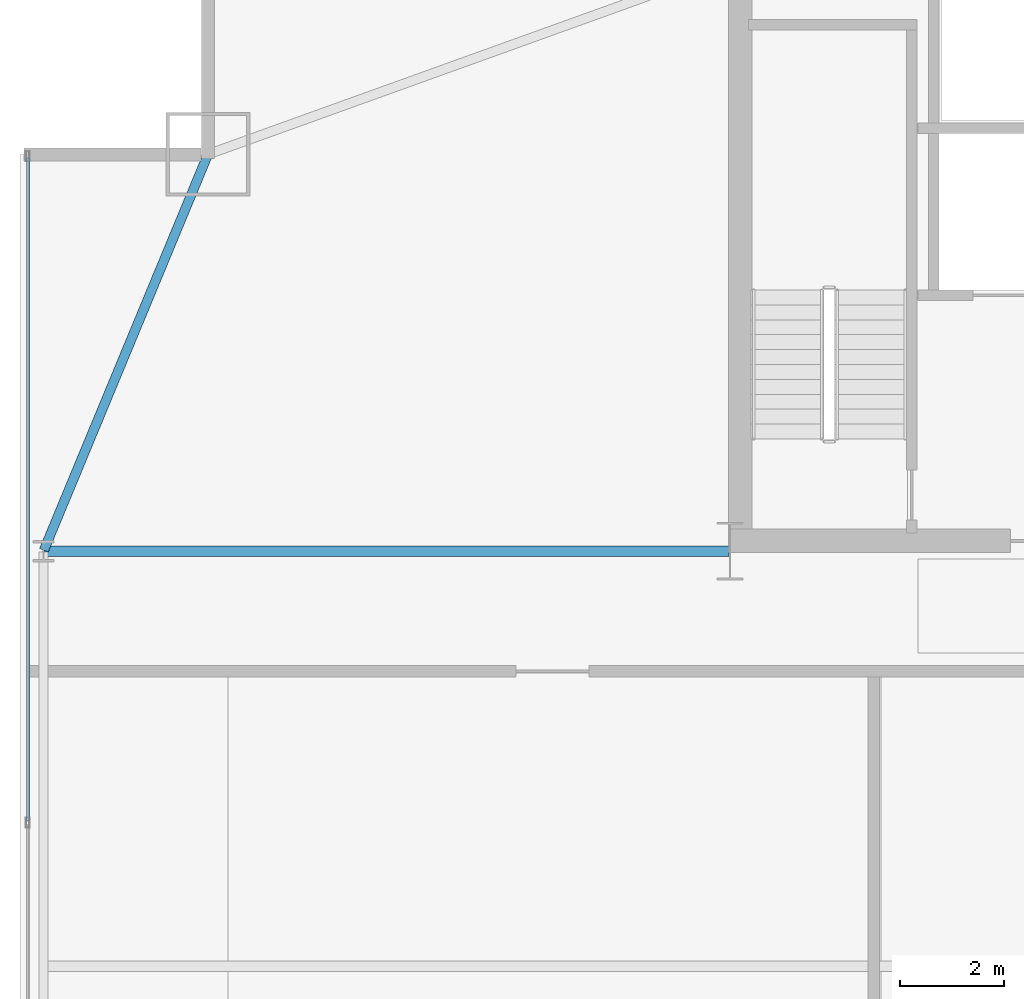
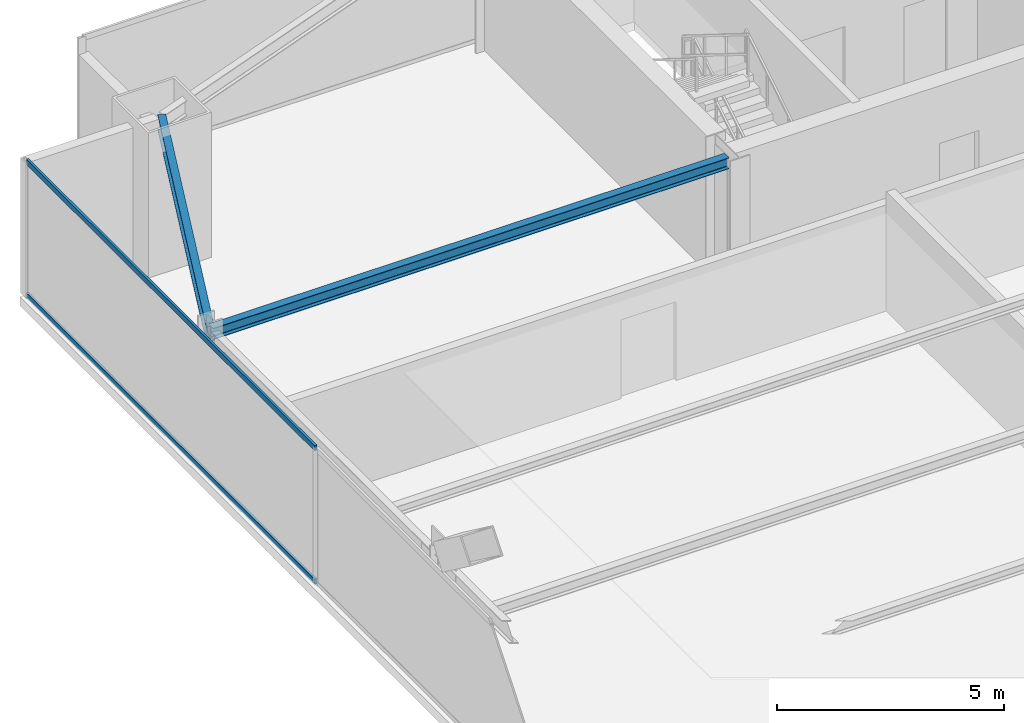
# One storey, part 21 of 35: 2 beams, 2 members, 1 element without a shape of its own.
"""IFC4 building model written with IfcOpenShell, lengths in metres."""

from ifc_helpers import new_model, si_unit, direction, frame, origin, origin_2d, place, context, subcontext, project, spatial, hollow_rectangle, i_section, extrude, source, transform, mapped, material, layer, layer_set, material_profile, profile_set, type_object, type_shapes, element, aggregate, save


model = new_model("IFC4")

# Units and contexts
model_context = context("Model", 3, precision=1e-05, world=origin(), true_north=direction((0.0, 1.0)))
body_context = subcontext(model_context, "Body", "Model", "MODEL_VIEW")
ifc_project = project(units=[si_unit("LENGTHUNIT", "METRE"), si_unit("AREAUNIT", "SQUARE_METRE"), si_unit("VOLUMEUNIT", "CUBIC_METRE"), si_unit("PLANEANGLEUNIT", "RADIAN"), si_unit("MASSUNIT", "GRAM", prefix="KILO")], contexts=[model_context])

# Site, building, storey
site_placement = place(None, origin())
site = spatial("IfcSite", under=ifc_project, at=site_placement, CompositionType="ELEMENT")
building_placement = place(site_placement, origin())
building = spatial("IfcBuilding", under=site, at=building_placement, Name="Varnel Quay Broadcast Tower", CompositionType="ELEMENT")
storey_placement = place(building_placement, frame((0.0, 0.0, 31.5)))
storey = spatial("IfcBuildingStorey", under=building, at=storey_placement, Name="L06", CompositionType="ELEMENT", Elevation=31.5)

# Beams
ifc_material_1 = material(Name="Structural Steel CSA G40.21 350W", Category="steel")
ifc_material_profile_1 = material_profile(ifc_material_1, i_section(OverallWidth=0.180908203125, OverallDepth=0.4169921875, WebThickness=0.010986328125, FlangeThickness=0.018310546875, FilletRadius=0.011962890625, at=origin_2d()), Name="W410X85")
ifc_profile_set_1 = profile_set([ifc_material_profile_1], Name="Structural Steel CSA G40.21 350W")
beam_type_1 = type_object("IfcBeamType", Name="Beam_W410X85", PredefinedType="SPANDREL", material=ifc_profile_set_1)
shared_shape_1 = source(origin(), body_context, "Body", "SweptSolid", [
    extrude(i_section(OverallWidth=0.180908203125, OverallDepth=0.4169921875, WebThickness=0.010986328125, FlangeThickness=0.018310546875, FilletRadius=0.011962890625, at=origin_2d()), origin(), (0.0, 0.0, 1.0), 8.186767578125),
])
type_shapes(beam_type_1, [shared_shape_1])
beam_1_placement = place(storey_placement, frame((2.457763671875, 35.618408203125, 3.44140625), z_axis=(0.382874132092, 0.923800519038, 0.0), x_axis=(-0.923800519038, 0.382874132092, 0.0)))
element("IfcBeam", 1, at=beam_1_placement, inside=storey, type_object=beam_type_1, Name="L06 West Spandrel TC-W3-MC-NW", PredefinedType="SPANDREL", context=body_context, shape_type="MappedRepresentation", body=[
    mapped(shared_shape_1, transform((0.0, 0.0, 0.0), x_axis=(1.0, 0.0, 0.0), y_axis=(0.0, 1.0, 0.0), z_axis=(0.0, 0.0, 1.0), scale=1.0)),
])
ifc_material_profile_2 = material_profile(ifc_material_1, i_section(OverallWidth=0.202880859375, OverallDepth=0.302978515625, WebThickness=0.007568359375, FlangeThickness=0.01318359375, FilletRadius=0.011962890625, at=origin_2d()), Name="W310X60")
ifc_profile_set_2 = profile_set([ifc_material_profile_2], Name="Structural Steel CSA G40.21 350W")
beam_type_2 = type_object("IfcBeamType", Name="Beam_W310X60", PredefinedType="JOIST", material=ifc_profile_set_2)
shared_shape_2 = source(origin(), body_context, "Body", "SweptSolid", [
    extrude(i_section(OverallWidth=0.202880859375, OverallDepth=0.302978515625, WebThickness=0.007568359375, FlangeThickness=0.01318359375, FilletRadius=0.011962890625, at=origin_2d()), origin(), (0.0, 0.0, 1.0), 13.110107421875),
])
type_shapes(beam_type_2, [shared_shape_2])
beam_2_placement = place(storey_placement, frame((2.469970703125, 35.60009765625, 3.49853515625), z_axis=(1.0, 0.0, 0.0), x_axis=(0.0, 1.0, 0.0)))
element("IfcBeam", 2, at=beam_2_placement, inside=storey, type_object=beam_type_2, Name="L06 West Core Tie Joist", PredefinedType="JOIST", context=body_context, shape_type="MappedRepresentation", body=[
    mapped(shared_shape_2, transform((0.0, 0.0, 0.0), x_axis=(1.0, 0.0, 0.0), y_axis=(0.0, 1.0, 0.0), z_axis=(0.0, 0.0, 1.0), scale=1.0)),
])

# Curtain wall, members
ifc_material_2 = material(Name="Anodised Bronze Aluminium 6063-T6", Category="aluminium")
ifc_layer = layer(ifc_material_2, 0.18994140625, Name="Anodised Bronze Aluminium 6063-T6")
ifc_layer_set = layer_set([ifc_layer], Name="Anodised Bronze Aluminium 6063-T6")
curtain_wall_type = type_object("IfcCurtainWallType", Name="CW_LowerTower", PredefinedType="NOTDEFINED", material=ifc_layer_set)
curtain_wall_placement = place(storey_placement, origin())
curtain_wall = element("IfcCurtainWall", 3, at=curtain_wall_placement, inside=storey, type_object=curtain_wall_type, Name="L06 West Unitised Curtain Wall", PredefinedType="NOTDEFINED")
ifc_material_profile_3 = material_profile(ifc_material_2, hollow_rectangle(XDim=0.06005859375, YDim=0.14501953125, WallThickness=0.00341796875, at=origin_2d()), Name="ALU60X145X3.5")
ifc_profile_set_3 = profile_set([ifc_material_profile_3], Name="Anodised Bronze Aluminium 6063-T6")
member_type = type_object("IfcMemberType", Name="Tran_CWS-02", PredefinedType="USERDEFINED", material=ifc_profile_set_3)
shared_shape_3 = source(origin(), body_context, "Body", "SweptSolid", [
    extrude(hollow_rectangle(XDim=0.06005859375, YDim=0.14501953125, WallThickness=0.00341796875, at=origin_2d()), origin(), (0.0, 0.0, 1.0), 12.69482421875),
])
type_shapes(member_type, [shared_shape_3])
member_1_placement = place(storey_placement, frame((2.14990234375, 30.43505859375, 0.030029296875), z_axis=(0.0, 1.0, 0.0), x_axis=(-1.0, 0.0, 0.0)))
member_1 = element("IfcMember", 4, at=member_1_placement, type_object=member_type, Name="CWS-02 transom 3.1", ObjectType="TRANSOM", PredefinedType="USERDEFINED", context=body_context, shape_type="MappedRepresentation", body=[
    mapped(shared_shape_3, transform((0.0, 0.0, 0.0), x_axis=(1.0, 0.0, 0.0), y_axis=(0.0, 1.0, 0.0), z_axis=(0.0, 0.0, 1.0), scale=1.0)),
])
member_2_placement = place(storey_placement, frame((2.14990234375, 30.43505859375, 3.6201171875), z_axis=(0.0, 1.0, 0.0), x_axis=(-1.0, 0.0, 0.0)))
member_2 = element("IfcMember", 5, at=member_2_placement, type_object=member_type, Name="CWS-02 transom 3.2", ObjectType="TRANSOM", PredefinedType="USERDEFINED", context=body_context, shape_type="MappedRepresentation", body=[
    mapped(shared_shape_3, transform((0.0, 0.0, 0.0), x_axis=(1.0, 0.0, 0.0), y_axis=(0.0, 1.0, 0.0), z_axis=(0.0, 0.0, 1.0), scale=1.0)),
])
aggregate(curtain_wall, [member_1, member_2])

save(model, "model.ifc")
